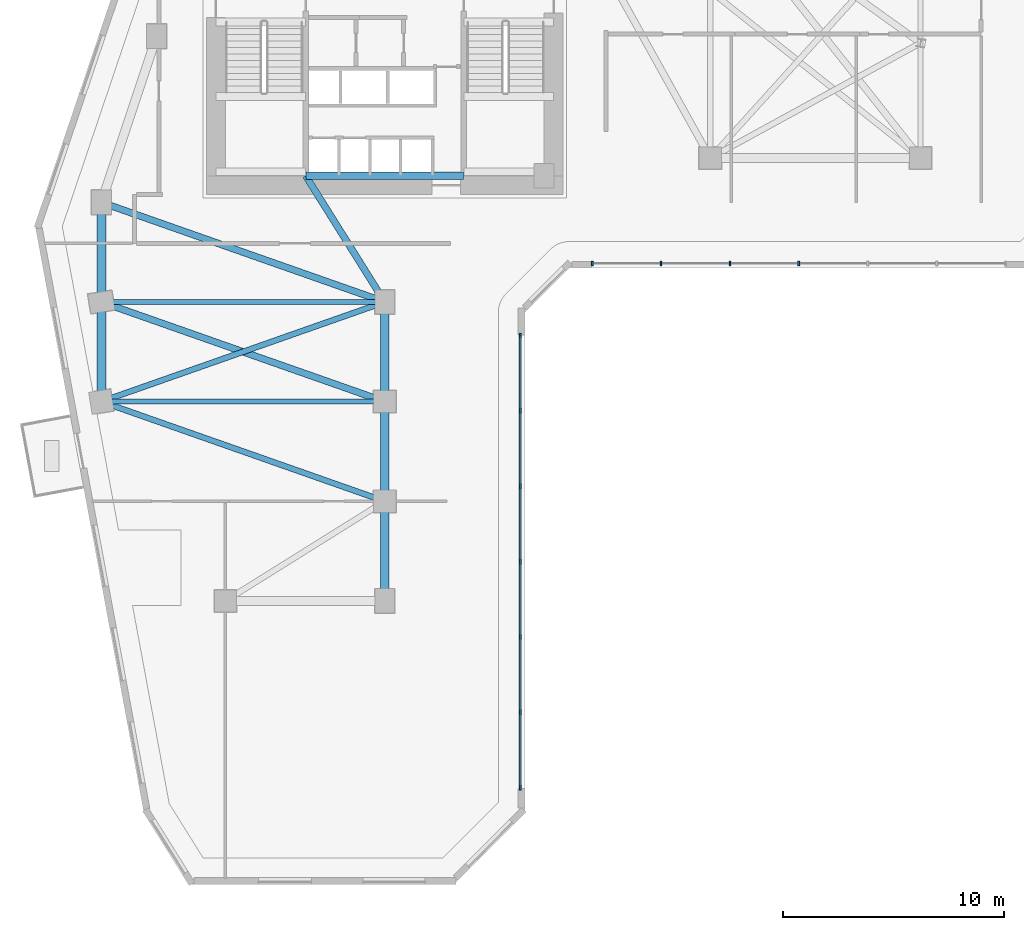
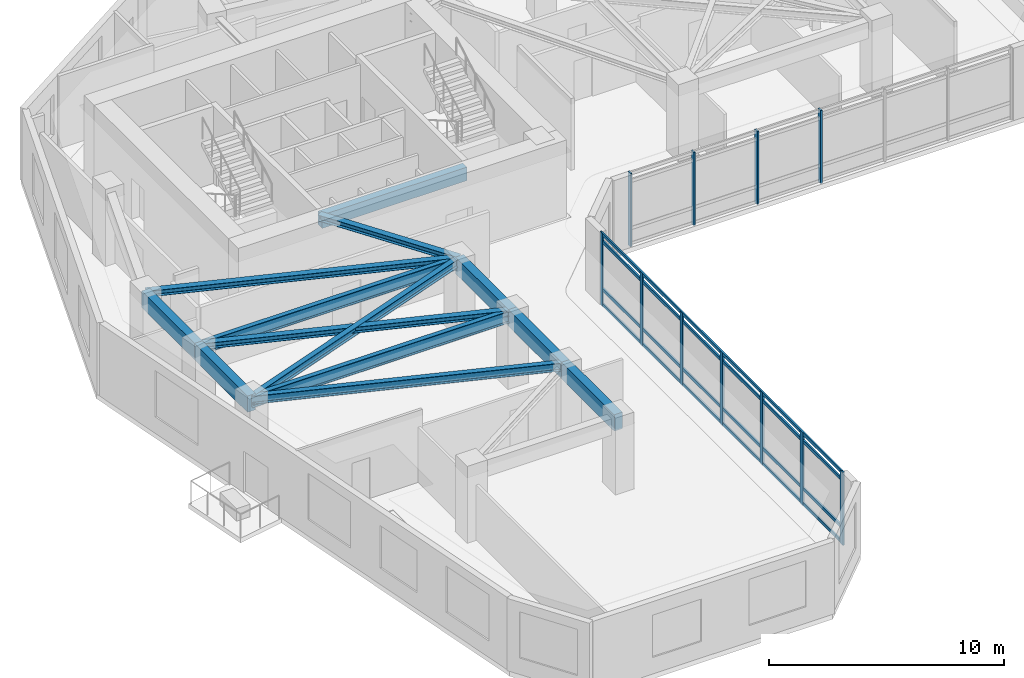
# One storey, part 2 of 9: 15 members, 13 beams, 2 elements without a shape of their own.
"""IFC4 building model written with IfcOpenShell, lengths in metres."""

from ifc_helpers import new_model, si_unit, direction, frame, origin, origin_2d, place, context, subcontext, project, spatial, rectangle, i_section, extrude, source, transform, mapped, material, material_profile, profile_set, type_object, element, aggregate, save


model = new_model("IFC4")

# Units and contexts
model_context = context("Model", 3, precision=1e-05, world=origin(), true_north=direction((0.0, 1.0)))
body_context = subcontext(model_context, "Body", "Model", "MODEL_VIEW")
ifc_project = project(units=[si_unit("LENGTHUNIT", "METRE"), si_unit("AREAUNIT", "SQUARE_METRE"), si_unit("VOLUMEUNIT", "CUBIC_METRE"), si_unit("PLANEANGLEUNIT", "RADIAN"), si_unit("MASSUNIT", "GRAM", prefix="KILO")], contexts=[model_context])

# Site, building, storey
site_placement = place(None, origin())
site = spatial("IfcSite", under=ifc_project, at=site_placement, CompositionType="ELEMENT")
building_placement = place(site_placement, origin())
building = spatial("IfcBuilding", under=site, at=building_placement, Name="Calvemar Wedge Station Tower", CompositionType="ELEMENT")
storey_placement = place(building_placement, frame((0.0, 0.0, 71.0)))
storey = spatial("IfcBuildingStorey", under=building, at=storey_placement, Name="L17", CompositionType="ELEMENT", Elevation=71.0)

# Beams
ifc_material_1 = material(Name="Concrete C60", Category="concrete")
ifc_material_profile_1 = material_profile(ifc_material_1, rectangle(XDim=0.39990234375, YDim=0.85009765625, at=origin_2d()), Name="RC400x850")
ifc_profile_set_1 = profile_set([ifc_material_profile_1], Name="Concrete C60")
beam_type_1 = type_object("IfcBeamType", Name="BM-SP1-850", PredefinedType="SPANDREL", material=ifc_profile_set_1)
shared_shape_1 = source(origin(), body_context, "Body", "SweptSolid", [
    extrude(rectangle(XDim=0.39990234375, YDim=0.85009765625, at=origin_2d()), origin(), (0.0, 0.0, 1.0), 4.5),
])
for number, where, z_axis, x_axis, name in (
    (1, (11.0, 33.0, 3.324951171875), (0.0, -1.0, 0.0), (1.0, 0.0, 0.0), "Storey L17 Spandrel T-NW1-T-SW1"),
    (2, (11.0, 28.5, 3.324951171875), (0.0, -1.0, 0.0), (1.0, 0.0, 0.0), "Storey L17 Spandrel T-SW1-T-SW2"),
    (3, (23.800048828125, 28.5, 3.324951171875), (0.0, -1.0, 0.0), (1.0, 0.0, 0.0), "Storey L17 Spandrel T-SE1-T-SE2"),
    (4, (23.800048828125, 24.0, 3.324951171875), (0.0, -1.0, 0.0), (1.0, 0.0, 0.0), "Storey L17 Spandrel T-SE2-T-SE3"),
    (5, (23.800048828125, 19.5, 3.324951171875), (0.0, -1.0, 0.0), (1.0, 0.0, 0.0), "Storey L17 Spandrel T-SE3-T-SE4"),
):
    element("IfcBeam", number, at=place(storey_placement, frame(where, z_axis=z_axis, x_axis=x_axis)), inside=storey, type_object=beam_type_1, Name=name, PredefinedType="SPANDREL", context=body_context, shape_type="MappedRepresentation", body=[
        mapped(shared_shape_1, transform((0.0, 0.0, 0.0), scale=1.0)),
    ])
ifc_material_2 = material(Name="Structural steel ASTM A572 Grade 50", Category="steel")
ifc_material_profile_2 = material_profile(ifc_material_2, i_section(OverallWidth=0.22998046875, OverallDepth=0.616943359375, WebThickness=0.01318359375, FlangeThickness=0.022216796875, FilletRadius=0.012939453125, at=origin_2d()), Name="W610x140")
ifc_profile_set_2 = profile_set([ifc_material_profile_2], Name="Structural steel ASTM A572 Grade 50")
beam_type_2 = type_object("IfcBeamType", Name="BM-SB2-W610", PredefinedType="BEAM", material=ifc_profile_set_2)
shared_shape_2 = source(origin(), body_context, "Body", "SweptSolid", [
    extrude(i_section(OverallWidth=0.22998046875, OverallDepth=0.616943359375, WebThickness=0.01318359375, FlangeThickness=0.022216796875, FilletRadius=0.012939453125, at=origin_2d()), origin(), (0.0, 0.0, 1.0), 12.800048828125),
])
for number, where, z_axis, x_axis, name in (
    (6, (11.0, 28.5, 3.44140625), (1.0, 0.0, 0.0), (0.0, 1.0, 0.0), "Storey L17 Floor Beam T-SW1-T-SE1"),
    (7, (11.0, 24.0, 3.44140625), (1.0, 0.0, 0.0), (0.0, 1.0, 0.0), "Storey L17 Floor Beam T-SW2-T-SE2"),
):
    element("IfcBeam", number, at=place(storey_placement, frame(where, z_axis=z_axis, x_axis=x_axis)), inside=storey, type_object=beam_type_2, Name=name, PredefinedType="BEAM", context=body_context, shape_type="MappedRepresentation", body=[
        mapped(shared_shape_2, transform((0.0, 0.0, 0.0), scale=1.0)),
    ])
ifc_material_3 = material(Name="Concrete C70", Category="concrete")
ifc_material_profile_3 = material_profile(ifc_material_3, rectangle(XDim=0.35009765625, YDim=0.699951171875, at=origin_2d()), Name="RC350x700")
ifc_profile_set_3 = profile_set([ifc_material_profile_3], Name="Concrete C70")
beam_type_3 = type_object("IfcBeamType", Name="BM-LN1-700", PredefinedType="LINTEL", material=ifc_profile_set_3)
shared_shape_3 = source(origin(), body_context, "Body", "SweptSolid", [
    extrude(rectangle(XDim=0.35009765625, YDim=0.699951171875, at=origin_2d()), origin(), (0.0, 0.0, 1.0), 7.10009765625),
])
beam_1_placement = place(storey_placement, frame((20.25, 34.199951171875, 3.39990234375), z_axis=(1.0, 0.0, 0.0), x_axis=(0.0, 1.0, 0.0)))
element("IfcBeam", 8, at=beam_1_placement, inside=storey, type_object=beam_type_3, Name="Storey L17 Core Coupling Lintel South", PredefinedType="LINTEL", context=body_context, shape_type="MappedRepresentation", body=[
    mapped(shared_shape_3, transform((0.0, 0.0, 0.0), scale=1.0)),
])
ifc_material_profile_4 = material_profile(ifc_material_2, i_section(OverallWidth=0.304931640625, OverallDepth=0.30810546875, WebThickness=0.010009765625, FlangeThickness=0.015380859375, FilletRadius=0.014892578125, at=origin_2d()), Name="W310x97")
ifc_profile_set_4 = profile_set([ifc_material_profile_4], Name="Structural steel ASTM A572 Grade 50")
beam_type_4 = type_object("IfcBeamType", Name="BM-J6-W310", PredefinedType="JOIST", material=ifc_profile_set_4)
shared_shape_4 = source(origin(), body_context, "Body", "SweptSolid", [
    extrude(i_section(OverallWidth=0.304931640625, OverallDepth=0.30810546875, WebThickness=0.010009765625, FlangeThickness=0.015380859375, FilletRadius=0.014892578125, at=origin_2d()), origin(), (0.0, 0.0, 1.0), 13.568115234375),
])
for number, where, z_axis, x_axis, name in (
    (9, (11.0, 33.0, 3.595947265625), (0.943398221169, -0.331662171939, 0.0), (0.331662171939, 0.943398221169, 0.0), "Storey L17 Floor Beam T-NW1-T-SE1"),
    (10, (11.0, 28.5, 3.595947265625), (0.943398221169, -0.331662171939, 0.0), (0.331662171939, 0.943398221169, 0.0), "Storey L17 Floor Beam T-SW1-T-SE2"),
):
    element("IfcBeam", number, at=place(storey_placement, frame(where, z_axis=z_axis, x_axis=x_axis)), inside=storey, type_object=beam_type_4, Name=name, PredefinedType="JOIST", context=body_context, shape_type="MappedRepresentation", body=[
        mapped(shared_shape_4, transform((0.0, 0.0, 0.0), scale=1.0)),
    ])
ifc_material_profile_5 = material_profile(ifc_material_2, i_section(OverallWidth=0.260986328125, OverallDepth=0.419921875, WebThickness=0.01171875, FlangeThickness=0.019287109375, FilletRadius=0.012939453125, at=origin_2d()), Name="W410x114")
ifc_profile_set_5 = profile_set([ifc_material_profile_5], Name="Structural steel ASTM A572 Grade 50")
beam_type_5 = type_object("IfcBeamType", Name="BM-J2-W410H", PredefinedType="JOIST", material=ifc_profile_set_5)
shared_shape_5 = source(origin(), body_context, "Body", "SweptSolid", [
    extrude(i_section(OverallWidth=0.260986328125, OverallDepth=0.419921875, WebThickness=0.01171875, FlangeThickness=0.019287109375, FilletRadius=0.012939453125, at=origin_2d()), origin(), (0.0, 0.0, 1.0), 13.568115234375),
])
for number, where, z_axis, x_axis, name in (
    (11, (23.800048828125, 28.5, 3.5400390625), (-0.943398221169, -0.331662171939, 0.0), (0.331662171939, -0.943398221169, 0.0), "Storey L17 Floor Beam T-SE1-T-SW2"),
    (12, (11.0, 24.0, 3.5400390625), (0.943398221169, -0.331662171939, 0.0), (0.331662171939, 0.943398221169, 0.0), "Storey L17 Floor Beam T-SW2-T-SE3"),
):
    element("IfcBeam", number, at=place(storey_placement, frame(where, z_axis=z_axis, x_axis=x_axis)), inside=storey, type_object=beam_type_5, Name=name, PredefinedType="JOIST", context=body_context, shape_type="MappedRepresentation", body=[
        mapped(shared_shape_5, transform((0.0, 0.0, 0.0), scale=1.0)),
    ])
shared_shape_6 = source(origin(), body_context, "Body", "SweptSolid", [
    extrude(i_section(OverallWidth=0.304931640625, OverallDepth=0.30810546875, WebThickness=0.010009765625, FlangeThickness=0.015380859375, FilletRadius=0.014892578125, at=origin_2d()), origin(), (0.0, 0.0, 1.0), 6.7255859375),
])
beam_2_placement = place(storey_placement, frame((20.22998046875, 34.199951171875, 3.595947265625), z_axis=(0.530811158438, -0.847490126242, 0.0), x_axis=(0.847490126242, 0.530811158438, 0.0)))
element("IfcBeam", 13, at=beam_2_placement, inside=storey, type_object=beam_type_4, Name="Storey L17 Core-to-Column Joist CJ-S2", PredefinedType="JOIST", context=body_context, shape_type="MappedRepresentation", body=[
    mapped(shared_shape_6, transform((0.0, 0.0, 0.0), scale=1.0)),
])

# Curtain wall, members
ifc_material_4 = material(Name="Anodised aluminium 6063-T6", Category="aluminium")
curtain_wall_type = type_object("IfcCurtainWallType", Name="CW1", PredefinedType="NOTDEFINED", material=ifc_material_4)
curtain_wall_1_placement = place(storey_placement, origin())
curtain_wall_1 = element("IfcCurtainWall", 14, at=curtain_wall_1_placement, inside=storey, type_object=curtain_wall_type, Name="Storey L17 CW1 Recessed Unitised Curtain Wall 4", PredefinedType="NOTDEFINED")
ifc_material_profile_6 = material_profile(ifc_material_4, rectangle(XDim=0.080078125, YDim=0.219970703125, at=origin_2d()), Name="AL-MUL-80x220")
ifc_profile_set_6 = profile_set([ifc_material_profile_6], Name="Anodised aluminium 6063-T6")
member_type_1 = type_object("IfcMemberType", Name="CW1-MUL", PredefinedType="MULLION", material=ifc_profile_set_6)
shared_shape_7 = source(origin(), body_context, "Body", "SweptSolid", [
    extrude(rectangle(XDim=0.080078125, YDim=0.219970703125, at=origin_2d()), origin(), (0.0, 0.0, 1.0), 3.800048828125),
])
member_1_placement = place(storey_placement, frame((29.91796875, 6.56201171875, -0.050048828125), z_axis=(0.0, 0.0, 1.0), x_axis=(1.0, 0.0, 0.0)))
member_1 = element("IfcMember", 15, at=member_1_placement, type_object=member_type_1, Name="CW1 mullion 1", PredefinedType="MULLION", context=body_context, shape_type="MappedRepresentation", body=[
    mapped(shared_shape_7, transform((0.0, 0.0, 0.0), scale=1.0)),
])
member_2_placement = place(storey_placement, frame((29.91796875, 9.966796875, -0.050048828125), z_axis=(0.0, 0.0, 1.0), x_axis=(1.0, 0.0, 0.0)))
member_2 = element("IfcMember", 16, at=member_2_placement, type_object=member_type_1, Name="CW1 mullion 2", PredefinedType="MULLION", context=body_context, shape_type="MappedRepresentation", body=[
    mapped(shared_shape_7, transform((0.0, 0.0, 0.0), scale=1.0)),
])
member_3_placement = place(storey_placement, frame((29.91796875, 13.371337890625, -0.050048828125), z_axis=(0.0, 0.0, 1.0), x_axis=(1.0, 0.0, 0.0)))
member_3 = element("IfcMember", 17, at=member_3_placement, type_object=member_type_1, Name="CW1 mullion 3", PredefinedType="MULLION", context=body_context, shape_type="MappedRepresentation", body=[
    mapped(shared_shape_7, transform((0.0, 0.0, 0.0), scale=1.0)),
])
member_4_placement = place(storey_placement, frame((29.91796875, 16.776123046875, -0.050048828125), z_axis=(0.0, 0.0, 1.0), x_axis=(1.0, 0.0, 0.0)))
member_4 = element("IfcMember", 18, at=member_4_placement, type_object=member_type_1, Name="CW1 mullion 4", PredefinedType="MULLION", context=body_context, shape_type="MappedRepresentation", body=[
    mapped(shared_shape_7, transform((0.0, 0.0, 0.0), scale=1.0)),
])
member_5_placement = place(storey_placement, frame((29.91796875, 20.180908203125, -0.050048828125), z_axis=(0.0, 0.0, 1.0), x_axis=(1.0, 0.0, 0.0)))
member_5 = element("IfcMember", 19, at=member_5_placement, type_object=member_type_1, Name="CW1 mullion 5", PredefinedType="MULLION", context=body_context, shape_type="MappedRepresentation", body=[
    mapped(shared_shape_7, transform((0.0, 0.0, 0.0), scale=1.0)),
])
member_6_placement = place(storey_placement, frame((29.91796875, 23.58544921875, -0.050048828125), z_axis=(0.0, 0.0, 1.0), x_axis=(1.0, 0.0, 0.0)))
member_6 = element("IfcMember", 20, at=member_6_placement, type_object=member_type_1, Name="CW1 mullion 6", PredefinedType="MULLION", context=body_context, shape_type="MappedRepresentation", body=[
    mapped(shared_shape_7, transform((0.0, 0.0, 0.0), scale=1.0)),
])
member_7_placement = place(storey_placement, frame((29.91796875, 26.989990234375, -0.050048828125), z_axis=(0.0, 0.0, 1.0), x_axis=(1.0, 0.0, 0.0)))
member_7 = element("IfcMember", 21, at=member_7_placement, type_object=member_type_1, Name="CW1 mullion 7", PredefinedType="MULLION", context=body_context, shape_type="MappedRepresentation", body=[
    mapped(shared_shape_7, transform((0.0, 0.0, 0.0), scale=1.0)),
])

curtain_wall_2_placement = place(storey_placement, origin())
curtain_wall_2 = element("IfcCurtainWall", 22, at=curtain_wall_2_placement, inside=storey, type_object=curtain_wall_type, Name="Storey L17 CW1 Recessed Unitised Curtain Wall 6", PredefinedType="NOTDEFINED")
member_8_placement = place(storey_placement, frame((33.166015625, 30.238037109375, -0.050048828125), z_axis=(0.0, 0.0, 1.0), x_axis=(1.0, 0.0, 0.0)))
member_8 = element("IfcMember", 23, at=member_8_placement, type_object=member_type_1, Name="CW1 mullion 1", PredefinedType="MULLION", context=body_context, shape_type="MappedRepresentation", body=[
    mapped(shared_shape_7, transform((0.0, 0.0, 0.0), scale=1.0)),
])
member_9_placement = place(storey_placement, frame((36.27783203125, 30.238037109375, -0.050048828125), z_axis=(0.0, 0.0, 1.0), x_axis=(1.0, 0.0, 0.0)))
member_9 = element("IfcMember", 24, at=member_9_placement, type_object=member_type_1, Name="CW1 mullion 2", PredefinedType="MULLION", context=body_context, shape_type="MappedRepresentation", body=[
    mapped(shared_shape_7, transform((0.0, 0.0, 0.0), scale=1.0)),
])
member_10_placement = place(storey_placement, frame((39.389892578125, 30.238037109375, -0.050048828125), z_axis=(0.0, 0.0, 1.0), x_axis=(1.0, 0.0, 0.0)))
member_10 = element("IfcMember", 25, at=member_10_placement, type_object=member_type_1, Name="CW1 mullion 3", PredefinedType="MULLION", context=body_context, shape_type="MappedRepresentation", body=[
    mapped(shared_shape_7, transform((0.0, 0.0, 0.0), scale=1.0)),
])
member_11_placement = place(storey_placement, frame((42.501953125, 30.238037109375, -0.050048828125), z_axis=(0.0, 0.0, 1.0), x_axis=(1.0, 0.0, 0.0)))
member_11 = element("IfcMember", 26, at=member_11_placement, type_object=member_type_1, Name="CW1 mullion 4", PredefinedType="MULLION", context=body_context, shape_type="MappedRepresentation", body=[
    mapped(shared_shape_7, transform((0.0, 0.0, 0.0), scale=1.0)),
])
aggregate(curtain_wall_2, [member_8, member_9, member_10, member_11])

# Member
ifc_material_profile_7 = material_profile(ifc_material_4, rectangle(XDim=0.080078125, YDim=0.159912109375, at=origin_2d()), Name="AL-TRN-80x160")
ifc_profile_set_7 = profile_set([ifc_material_profile_7], Name="Anodised aluminium 6063-T6")
member_type_2 = type_object("IfcMemberType", Name="CW1-TRN", PredefinedType="USERDEFINED", material=ifc_profile_set_7)
shared_shape_8 = source(origin(), body_context, "Body", "SweptSolid", [
    extrude(rectangle(XDim=0.080078125, YDim=0.159912109375, at=origin_2d()), origin(), (0.0, 0.0, 1.0), 20.427978515625),
])
member_12_placement = place(storey_placement, frame((29.91796875, 6.56201171875, 0.06005859375), z_axis=(0.0, 1.0, 0.0), x_axis=(-1.0, 0.0, 0.0)))
member_12 = element("IfcMember", 27, at=member_12_placement, type_object=member_type_2, Name="CW1 transom 1", ObjectType="TRANSOM", PredefinedType="USERDEFINED", context=body_context, shape_type="MappedRepresentation", body=[
    mapped(shared_shape_8, transform((0.0, 0.0, 0.0), scale=1.0)),
])

member_13_placement = place(storey_placement, frame((29.91796875, 6.56201171875, 0.85009765625), z_axis=(0.0, 1.0, 0.0), x_axis=(-1.0, 0.0, 0.0)))
member_13 = element("IfcMember", 28, at=member_13_placement, type_object=member_type_2, Name="CW1 transom 2", ObjectType="TRANSOM", PredefinedType="USERDEFINED", context=body_context, shape_type="MappedRepresentation", body=[
    mapped(shared_shape_8, transform((0.0, 0.0, 0.0), scale=1.0)),
])

member_14_placement = place(storey_placement, frame((29.91796875, 6.56201171875, 3.300048828125), z_axis=(0.0, 1.0, 0.0), x_axis=(-1.0, 0.0, 0.0)))
member_14 = element("IfcMember", 29, at=member_14_placement, type_object=member_type_2, Name="CW1 transom 3", ObjectType="TRANSOM", PredefinedType="USERDEFINED", context=body_context, shape_type="MappedRepresentation", body=[
    mapped(shared_shape_8, transform((0.0, 0.0, 0.0), scale=1.0)),
])

member_15_placement = place(storey_placement, frame((29.91796875, 6.56201171875, 3.68994140625), z_axis=(0.0, 1.0, 0.0), x_axis=(-1.0, 0.0, 0.0)))
member_15 = element("IfcMember", 30, at=member_15_placement, type_object=member_type_2, Name="CW1 transom 4", ObjectType="TRANSOM", PredefinedType="USERDEFINED", context=body_context, shape_type="MappedRepresentation", body=[
    mapped(shared_shape_8, transform((0.0, 0.0, 0.0), scale=1.0)),
])

aggregate(curtain_wall_1, [member_1, member_2, member_3, member_4, member_5, member_6, member_7, member_12, member_13, member_14, member_15])

save(model, "model.ifc")
